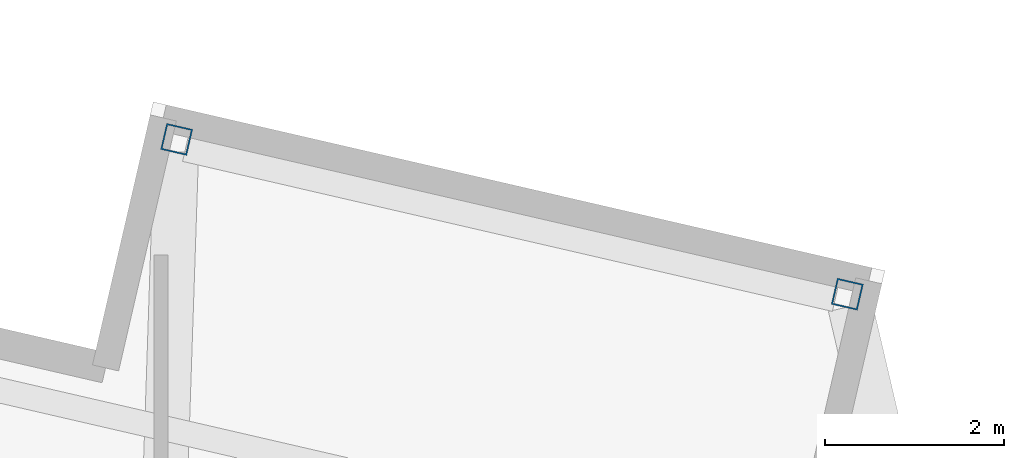
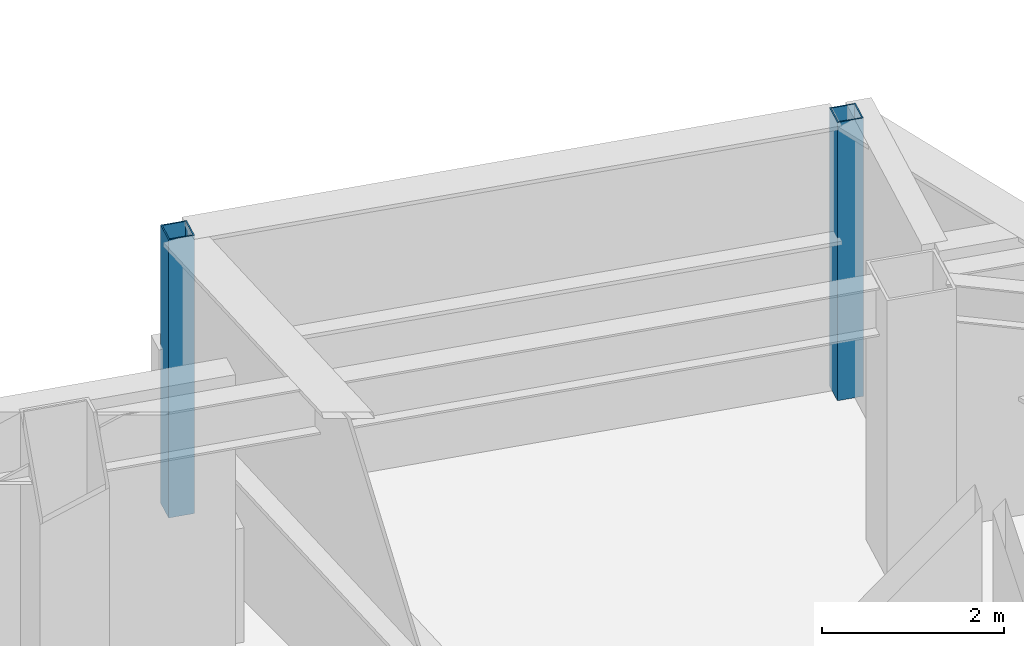
# One storey, part 2 of 20: 2 columns.
"""IFC4 building model written with IfcOpenShell, lengths in metres."""

from ifc_helpers import new_model, si_unit, direction, frame, origin, origin_2d, place, context, subcontext, project, spatial, hollow_rectangle, extrude, material, material_profile, profile_set, type_object, element, save


model = new_model("IFC4")

# Units and contexts
model_context = context("Model", 3, precision=1e-05, world=origin(), true_north=direction((0.0, 1.0)))
body_context = subcontext(model_context, "Body", "Model", "MODEL_VIEW")
ifc_project = project(units=[si_unit("LENGTHUNIT", "METRE"), si_unit("AREAUNIT", "SQUARE_METRE"), si_unit("VOLUMEUNIT", "CUBIC_METRE"), si_unit("PLANEANGLEUNIT", "RADIAN"), si_unit("MASSUNIT", "GRAM", prefix="KILO")], contexts=[model_context])

# Site, building, storey
site_placement = place(None, origin())
site = spatial("IfcSite", under=ifc_project, at=site_placement, CompositionType="ELEMENT")
building_placement = place(site_placement, origin())
building = spatial("IfcBuilding", under=site, at=building_placement, Name="Tavrogorsk Clinical Tower", CompositionType="ELEMENT")
storey_placement = place(building_placement, frame((0.0, 0.0, 67.39990234375)))
storey = spatial("IfcBuildingStorey", under=building, at=storey_placement, Name="L14", CompositionType="ELEMENT", Elevation=67.39990234375)

# Columns
ifc_material = material(Name="Structural steel S390", Category="steel")
ifc_material_profile = material_profile(ifc_material, hollow_rectangle(XDim=0.300048828125, YDim=0.300048828125, WallThickness=0.01611328125, at=origin_2d()), Name="SHS-300x300x16")
ifc_profile_set = profile_set([ifc_material_profile], Name="Structural steel S390")
column_type = type_object("IfcColumnType", Name="DayroomCol_SHS300", PredefinedType="COLUMN", material=ifc_profile_set)
for number, where, z_axis, x_axis, name in (
    (1, (10.887939453125, 23.971435546875, 0.0), (0.0, 0.0, 1.0), (0.974370064785, -0.224951054344, 0.0), "L14 Day-Room Box Column DRB-02-L"),
    (2, (18.390625, 22.2392578125, 0.0), (0.0, 0.0, 1.0), (0.974370064785, -0.224951054344, 0.0), "L14 Day-Room Box Column DRB-02-R"),
):
    element("IfcColumn", number, at=place(storey_placement, frame(where, z_axis=z_axis, x_axis=x_axis)), inside=storey, type_object=column_type, Name=name, PredefinedType="COLUMN", context=body_context, shape_type="SweptSolid", body=[
        extrude(hollow_rectangle(XDim=0.300048828125, YDim=0.300048828125, WallThickness=0.01611328125, at=origin_2d()), origin(), (0.0, 0.0, 1.0), 3.739990234375),
    ])

save(model, "model.ifc")
